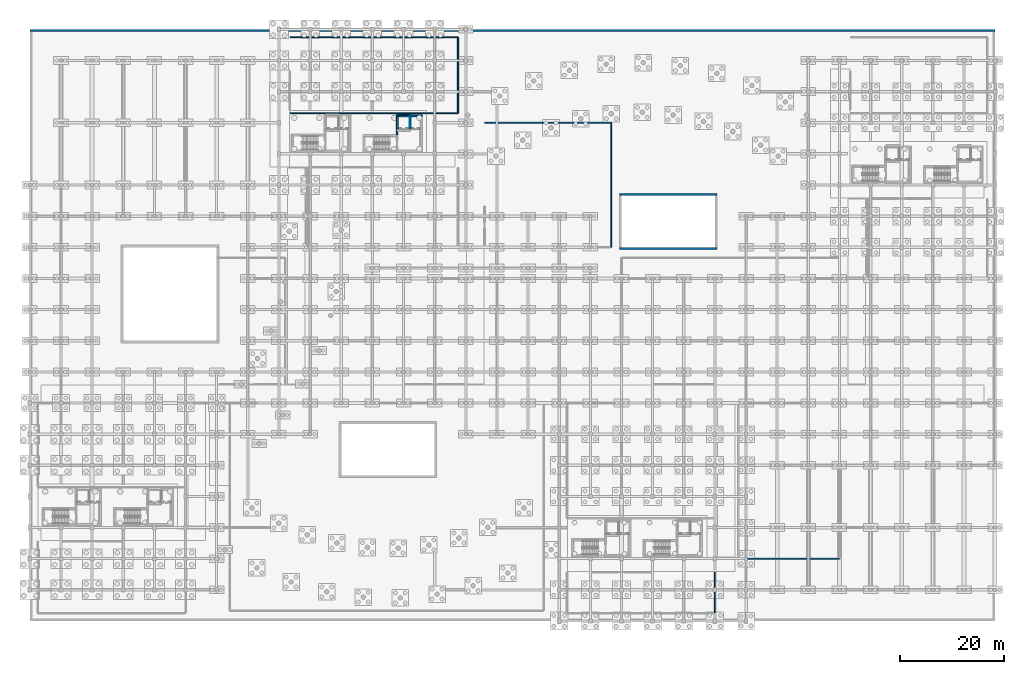
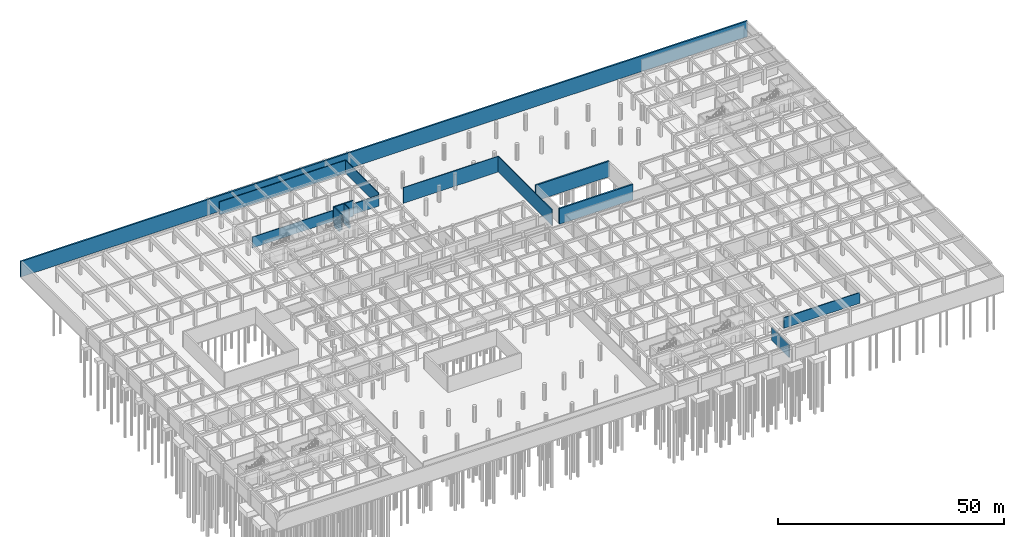
# One storey, part 31 of 41: 16 walls.
"""IFC4 building model written with IfcOpenShell, lengths in metres."""

from ifc_helpers import new_model, si_unit, direction, frame, frame_2d, origin, place, context, subcontext, project, spatial, rectangle, extrude, material, layer, layer_set, type_object, element, save


model = new_model("IFC4")

# Units and contexts
model_context = context("Model", 3, precision=1e-05, world=origin(), true_north=direction((0.0, 1.0)))
body_context = subcontext(model_context, "Body", "Model", "MODEL_VIEW")
ifc_project = project(units=[si_unit("LENGTHUNIT", "METRE"), si_unit("AREAUNIT", "SQUARE_METRE"), si_unit("VOLUMEUNIT", "CUBIC_METRE"), si_unit("PLANEANGLEUNIT", "RADIAN"), si_unit("MASSUNIT", "GRAM", prefix="KILO"), si_unit("POWERUNIT", "WATT"), si_unit("THERMODYNAMICTEMPERATUREUNIT", "KELVIN")], contexts=[model_context])

# Site, building, storey
site_placement = place(None, origin())
site = spatial("IfcSite", under=ifc_project, at=site_placement, CompositionType="ELEMENT")
building_placement = place(site_placement, origin())
building = spatial("IfcBuilding", under=site, at=building_placement, Name="Ruvembo Vaulted Housing Court", CompositionType="ELEMENT")
storey_placement = place(building_placement, frame((0.0, 0.0, -4.5)))
storey = spatial("IfcBuildingStorey", under=building, at=storey_placement, Name="B1", CompositionType="ELEMENT", Elevation=-4.5)

# Walls
ifc_material_1 = material(Name="Concrete C35/45", Category="concrete")
ifc_layer_1 = layer(ifc_material_1, 0.300048828125, Name="Concrete C35/45")
ifc_layer_set_1 = layer_set([ifc_layer_1], Name="Concrete C35/45")
wall_type_1 = type_object("IfcWallType", Name="WL-CORE-300", PredefinedType="SHEAR", material=ifc_layer_set_1)
wall_1_placement = place(storey_placement, frame((70.699951171875, 93.699951171875, 0.0), z_axis=(0.0, 0.0, 1.0), x_axis=(0.0, 1.0, 0.0)))
element("IfcWall", 1, at=wall_1_placement, inside=storey, type_object=wall_type_1, Name="Core B2 B1 Upper West Shear Wall", PredefinedType="SHEAR", context=body_context, shape_type="SweptSolid", body=[
    extrude(rectangle(XDim=3.449951171875, YDim=0.300048828125, at=frame_2d((1.72509765625, 0.0))), origin(), (0.0, 0.0, 1.0), 4.215087890625),
])
ifc_layer_2 = layer(ifc_material_1, 0.35009765625, Name="Concrete C35/45")
ifc_layer_set_2 = layer_set([ifc_layer_2], Name="Concrete C35/45")
wall_type_2 = type_object("IfcWallType", Name="WL-CORE-350", PredefinedType="SHEAR", material=ifc_layer_set_2)
wall_2_placement = place(storey_placement, frame((75.60009765625, 97.324951171875, 0.0), z_axis=(0.0, 0.0, 1.0), x_axis=(-1.0, 0.0, 0.0)))
element("IfcWall", 2, at=wall_2_placement, inside=storey, type_object=wall_type_2, Name="Core B2 B1 North Shear Wall", PredefinedType="SHEAR", context=body_context, shape_type="SweptSolid", body=[
    extrude(rectangle(XDim=5.050048828125, YDim=0.35009765625, at=frame_2d((2.52490234375, 0.0))), origin(), (0.0, 0.0, 1.0), 4.215087890625),
])
ifc_material_2 = material(Name="Concrete Blockwork 210", Category="masonry")
ifc_layer_3 = layer(ifc_material_2, 0.2099609375, Name="Concrete Blockwork 210")
ifc_layer_set_3 = layer_set([ifc_layer_3], Name="Concrete Blockwork 210")
wall_type_3 = type_object("IfcWallType", Name="WL-CORR-210", PredefinedType="SOLIDWALL", material=ifc_layer_set_3)
wall_3_placement = place(storey_placement, frame((50.139892578125, 97.800048828125, 0.0), z_axis=(0.0, 0.0, 1.0), x_axis=(1.0, 0.0, 0.0)))
element("IfcWall", 3, at=wall_3_placement, inside=storey, type_object=wall_type_3, Name="B1 Solar Battery & LV Switchroom WL-INT-B1-00014", PredefinedType="SOLIDWALL", context=body_context, shape_type="SweptSolid", body=[
    extrude(rectangle(XDim=32.320068359375, YDim=0.2099609375, at=frame_2d((16.16015625, 0.0))), origin(), (0.0, 0.0, 1.0), 2.89697265625),
])
wall_4_placement = place(storey_placement, frame((82.5, 97.840087890625, 0.0), z_axis=(0.0, 0.0, 1.0), x_axis=(0.0, 1.0, 0.0)))
element("IfcWall", 4, at=wall_4_placement, inside=storey, type_object=wall_type_3, Name="B1 Solar Battery & LV Switchroom WL-INT-B1-00015", PredefinedType="SOLIDWALL", context=body_context, shape_type="SweptSolid", body=[
    extrude(rectangle(XDim=14.619873046875, YDim=0.2099609375, at=frame_2d((7.31005859375, 0.0))), origin(), (0.0, 0.0, 1.0), 3.447021484375),
])
wall_5_placement = place(storey_placement, frame((82.4599609375, 112.5, 0.0), z_axis=(0.0, 0.0, 1.0), x_axis=(-1.0, 0.0, 0.0)))
element("IfcWall", 5, at=wall_5_placement, inside=storey, type_object=wall_type_3, Name="B1 Solar Battery & LV Switchroom WL-INT-B1-00016", PredefinedType="SOLIDWALL", context=body_context, shape_type="SweptSolid", body=[
    extrude(rectangle(XDim=32.320068359375, YDim=0.2099609375, at=frame_2d((16.16015625, 0.0))), origin(), (0.0, 0.0, 1.0), 3.4970703125),
])
wall_6_placement = place(storey_placement, frame((132.0, 1.5400390625, 0.0), z_axis=(0.0, 0.0, 1.0), x_axis=(0.0, 1.0, 0.0)))
element("IfcWall", 6, at=wall_6_placement, inside=storey, type_object=wall_type_3, Name="B1 Cooperative Bulk Cold & Dry Stores WL-INT-B1-00019", PredefinedType="SOLIDWALL", context=body_context, shape_type="SweptSolid", body=[
    extrude(rectangle(XDim=7.820068359375, YDim=0.2099609375, at=frame_2d((3.91015625, 0.0))), origin(), (0.0, 0.0, 1.0), 3.4970703125),
])
wall_7_placement = place(storey_placement, frame((136.5400390625, 12.0, 0.0), z_axis=(0.0, 0.0, 1.0), x_axis=(1.0, 0.0, 0.0)))
element("IfcWall", 7, at=wall_7_placement, inside=storey, type_object=wall_type_3, Name="B1 Cooperative Harvest Root Cellar WL-INT-B1-00041", PredefinedType="SOLIDWALL", context=body_context, shape_type="SweptSolid", body=[
    extrude(rectangle(XDim=19.419921875, YDim=0.2099609375, at=frame_2d((9.7099609375, 0.0))), origin(), (0.0, 0.0, 1.0), 2.89697265625),
])
wall_8_placement = place(storey_placement, frame((112.0, 72.0400390625, 0.0), z_axis=(0.0, 0.0, 1.0), x_axis=(0.0, 1.0, 0.0)))
element("IfcWall", 8, at=wall_8_placement, inside=storey, type_object=wall_type_3, Name="B1 Stormwater Attenuation Cistern Central WL-INT-B1-00046", PredefinedType="SOLIDWALL", context=body_context, shape_type="SweptSolid", body=[
    extrude(rectangle(XDim=23.919921875, YDim=0.2099609375, at=frame_2d((11.9599609375, 0.0))), origin(), (0.0, 0.0, 1.0), 4.215087890625),
])
wall_9_placement = place(storey_placement, frame((111.9599609375, 96.0, 0.0), z_axis=(0.0, 0.0, 1.0), x_axis=(-1.0, 0.0, 0.0)))
element("IfcWall", 9, at=wall_9_placement, inside=storey, type_object=wall_type_3, Name="B1 Stormwater Attenuation Cistern Central WL-INT-B1-00047", PredefinedType="SOLIDWALL", context=body_context, shape_type="SweptSolid", body=[
    extrude(rectangle(XDim=24.320068359375, YDim=0.2099609375, at=frame_2d((12.16015625, 0.0))), origin(), (0.0, 0.0, 1.0), 4.215087890625),
])
ifc_layer_4 = layer(ifc_material_1, 0.324951171875, Name="Concrete C35/45")
ifc_layer_set_4 = layer_set([ifc_layer_4], Name="Concrete C35/45")
wall_type_4 = type_object("IfcWallType", Name="WL-PIT-325", PredefinedType="SHEAR", material=ifc_layer_set_4)
wall_10_placement = place(storey_placement, frame((73.3125, 94.85009765625, -1.10009765625), z_axis=(0.0, 0.0, 1.0), x_axis=(0.0, 1.0, 0.0)))
element("IfcWall", 10, at=wall_10_placement, inside=storey, type_object=wall_type_4, Name="Lift LP-B2 Pit Wall 2", PredefinedType="SHEAR", context=body_context, shape_type="SweptSolid", body=[
    extrude(rectangle(XDim=2.39990234375, YDim=0.324951171875, at=frame_2d((1.199951171875, 0.0))), origin(), (0.0, 0.0, 1.0), 1.10009765625),
])
wall_11_placement = place(storey_placement, frame((73.3125, 97.574951171875, -1.10009765625), z_axis=(0.0, 0.0, 1.0), x_axis=(-1.0, 0.0, 0.0)))
element("IfcWall", 11, at=wall_11_placement, inside=storey, type_object=wall_type_4, Name="Lift LP-B2 Pit Wall 3", PredefinedType="SHEAR", context=body_context, shape_type="SweptSolid", body=[
    extrude(rectangle(XDim=2.52490234375, YDim=0.324951171875, at=frame_2d((1.262451171875, 0.0))), origin(), (0.0, 0.0, 1.0), 1.10009765625),
])
wall_12_placement = place(storey_placement, frame((70.78759765625, 97.25, -1.10009765625), z_axis=(0.0, 0.0, 1.0), x_axis=(0.0, -1.0, 0.0)))
element("IfcWall", 12, at=wall_12_placement, inside=storey, type_object=wall_type_4, Name="Lift LP-B2 Pit Wall 4", PredefinedType="SHEAR", context=body_context, shape_type="SweptSolid", body=[
    extrude(rectangle(XDim=2.39990234375, YDim=0.324951171875, at=frame_2d((1.199951171875, 0.0))), origin(), (0.0, 0.0, 1.0), 1.10009765625),
])
ifc_layer_5 = layer(ifc_material_1, 0.39990234375, Name="Concrete C35/45")
ifc_layer_set_5 = layer_set([ifc_layer_5], Name="Concrete C35/45")
wall_type_5 = type_object("IfcWallType", Name="WL-RET-400", PredefinedType="USERDEFINED", material=ifc_layer_set_5)
wall_13_placement = place(storey_placement, frame((186.0, 113.800048828125, 0.0), z_axis=(0.0, 0.0, 1.0), x_axis=(-1.0, 0.0, 0.0)))
element("IfcWall", 13, at=wall_13_placement, inside=storey, type_object=wall_type_5, Name="Basement Perimeter Retaining Wall N", ObjectType="RETAININGWALL", PredefinedType="USERDEFINED", context=body_context, shape_type="SweptSolid", body=[
    extrude(rectangle(XDim=186.0, YDim=0.39990234375, at=frame_2d((93.0, 0.0))), origin(), (0.0, 0.0, 1.0), 4.215087890625),
])
for number, where, z_axis, x_axis, name in (
    (14, (113.60009765625, 71.800048828125, 0.0), (0.0, 0.0, 1.0), (1.0, 0.0, 0.0), "North-East Markhamia Court Tree-Pit Retaining Wall S"),
    (15, (132.39990234375, 82.199951171875, 0.0), (0.0, 0.0, 1.0), (-1.0, 0.0, 0.0), "North-East Markhamia Court Tree-Pit Retaining Wall N"),
):
    element("IfcWall", number, at=place(storey_placement, frame(where, z_axis=z_axis, x_axis=x_axis)), inside=storey, type_object=wall_type_5, Name=name, ObjectType="RETAININGWALL", PredefinedType="USERDEFINED", context=body_context, shape_type="SweptSolid", body=[
        extrude(rectangle(XDim=18.7998046875, YDim=0.39990234375, at=frame_2d((9.39990234375, 0.0))), origin(), (0.0, 0.0, 1.0), 4.215087890625),
    ])
ifc_material_3 = material(Name="Fire-Rated Masonry Shaft 180", Category="masonry")
ifc_layer_6 = layer(ifc_material_3, 0.179931640625, Name="Fire-Rated Masonry Shaft 180")
ifc_layer_set_6 = layer_set([ifc_layer_6], Name="Fire-Rated Masonry Shaft 180")
wall_type_6 = type_object("IfcWallType", Name="WL-SHAFT-180", PredefinedType="SOLIDWALL", material=ifc_layer_set_6)
wall_14_placement = place(storey_placement, frame((73.27001953125, 94.93994140625, 0.0), z_axis=(0.0, 0.0, 1.0), x_axis=(0.0, 1.0, 0.0)))
element("IfcWall", 16, at=wall_14_placement, inside=storey, type_object=wall_type_6, Name="Core B2 B1 Shaft-Riser Divider Wall", PredefinedType="SOLIDWALL", context=body_context, shape_type="SweptSolid", body=[
    extrude(rectangle(XDim=2.2099609375, YDim=0.179931640625, at=frame_2d((1.10498046875, 0.0))), origin(), (0.0, 0.0, 1.0), 4.215087890625),
])

save(model, "model.ifc")
